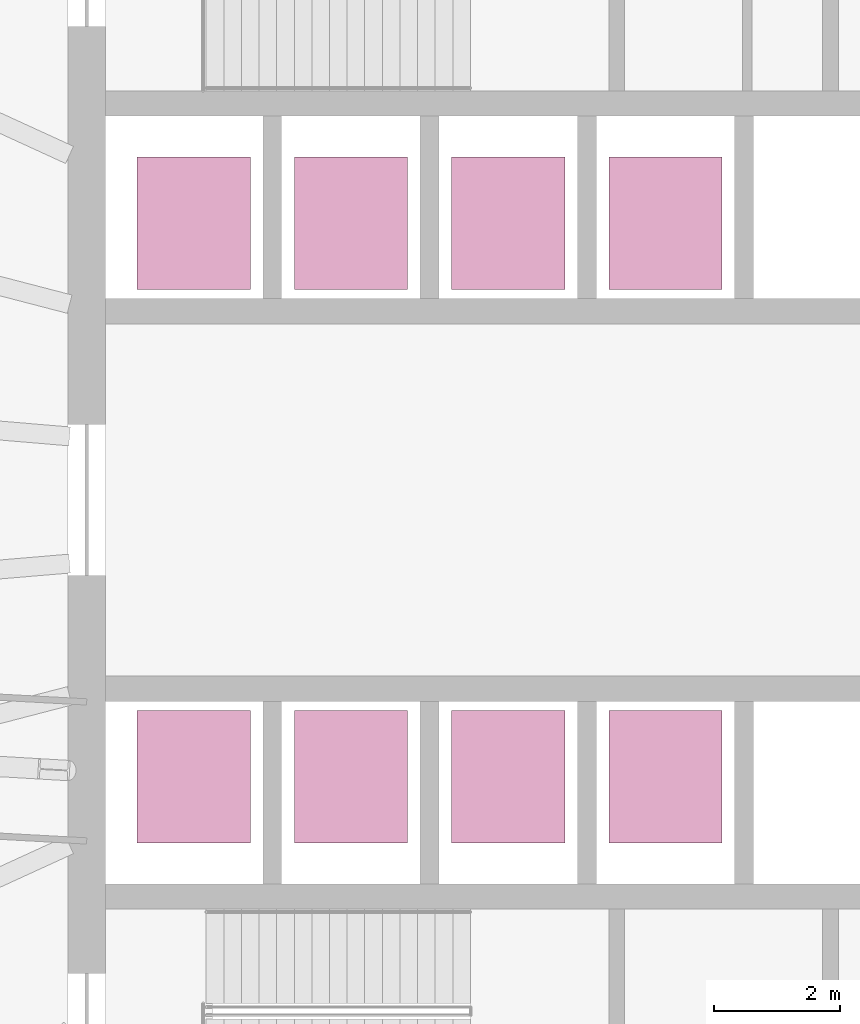
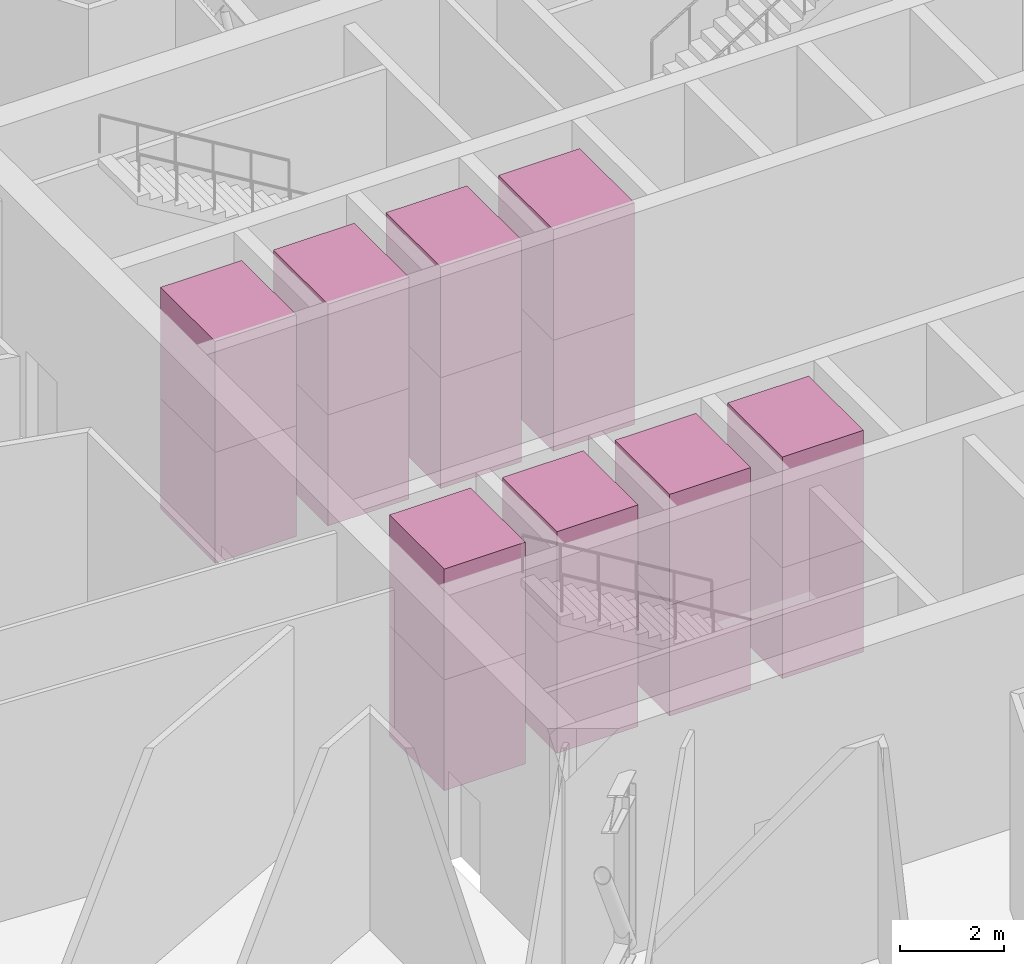
# One storey, part 22 of 22: 16 transport elements.
"""IFC4 building model written with IfcOpenShell, lengths in metres."""

from ifc_helpers import new_model, si_unit, direction, frame, origin, origin_2d, place, context, subcontext, project, spatial, rectangle, extrude, material, type_object, element, save


model = new_model("IFC4")

# Units and contexts
model_context = context("Model", 3, precision=1e-05, world=origin(), true_north=direction((0.0, 1.0)))
body_context = subcontext(model_context, "Body", "Model", "MODEL_VIEW")
ifc_project = project(units=[si_unit("LENGTHUNIT", "METRE"), si_unit("AREAUNIT", "SQUARE_METRE"), si_unit("VOLUMEUNIT", "CUBIC_METRE"), si_unit("PLANEANGLEUNIT", "RADIAN"), si_unit("MASSUNIT", "GRAM", prefix="KILO")], contexts=[model_context])

# Site, building, storey
site_placement = place(None, origin())
site = spatial("IfcSite", under=ifc_project, at=site_placement, CompositionType="ELEMENT")
building_placement = place(site_placement, origin())
building = spatial("IfcBuilding", under=site, at=building_placement, Name="Halqa Exchange Tower", CompositionType="ELEMENT")
storey_placement = place(building_placement, frame((0.0, 0.0, 99.10009765625)))
storey = spatial("IfcBuildingStorey", under=building, at=storey_placement, Name="L22", CompositionType="ELEMENT", Elevation=99.10009765625)

# Transport elements
ifc_material = material(Name="Stainless steel", Category="steel")
transport_element_type = type_object("IfcTransportElementType", Name="Low-rise passenger lift 1800 x 2100", PredefinedType="ELEVATOR", material=ifc_material)
for number, where, z_axis, x_axis, name in (
    (1, (-10.0, 4.39990234375, -0.000244140625), (0.0, 0.0, 1.0), (1.0, 0.0, 0.0), "Low-rise passenger lift LR1"),
    (2, (-10.0, 4.39990234375, 2.599853515625), (0.0, 0.0, 1.0), (1.0, 0.0, 0.0), "Low-rise passenger lift LR1"),
    (3, (-7.5, 4.39990234375, -0.000244140625), (0.0, 0.0, 1.0), (1.0, 0.0, 0.0), "Low-rise passenger lift LR2"),
    (4, (-7.5, 4.39990234375, 2.599853515625), (0.0, 0.0, 1.0), (1.0, 0.0, 0.0), "Low-rise passenger lift LR2"),
    (5, (-5.0, 4.39990234375, -0.000244140625), (0.0, 0.0, 1.0), (1.0, 0.0, 0.0), "Low-rise passenger lift LR3"),
    (6, (-5.0, 4.39990234375, 2.599853515625), (0.0, 0.0, 1.0), (1.0, 0.0, 0.0), "Low-rise passenger lift LR3"),
    (7, (-2.5, 4.39990234375, -0.000244140625), (0.0, 0.0, 1.0), (1.0, 0.0, 0.0), "Low-rise passenger lift LR4"),
    (8, (-2.5, 4.39990234375, 2.599853515625), (0.0, 0.0, 1.0), (1.0, 0.0, 0.0), "Low-rise passenger lift LR4"),
    (9, (-10.0, -4.39990234375, -0.000244140625), (0.0, 0.0, 1.0), (1.0, 0.0, 0.0), "Low-rise passenger lift LR5"),
    (10, (-10.0, -4.39990234375, 2.599853515625), (0.0, 0.0, 1.0), (1.0, 0.0, 0.0), "Low-rise passenger lift LR5"),
    (11, (-7.5, -4.39990234375, -0.000244140625), (0.0, 0.0, 1.0), (1.0, 0.0, 0.0), "Low-rise passenger lift LR6"),
    (12, (-7.5, -4.39990234375, 2.599853515625), (0.0, 0.0, 1.0), (1.0, 0.0, 0.0), "Low-rise passenger lift LR6"),
    (13, (-5.0, -4.39990234375, -0.000244140625), (0.0, 0.0, 1.0), (1.0, 0.0, 0.0), "Low-rise passenger lift LR7"),
    (14, (-5.0, -4.39990234375, 2.599853515625), (0.0, 0.0, 1.0), (1.0, 0.0, 0.0), "Low-rise passenger lift LR7"),
    (15, (-2.5, -4.39990234375, -0.000244140625), (0.0, 0.0, 1.0), (1.0, 0.0, 0.0), "Low-rise passenger lift LR8"),
    (16, (-2.5, -4.39990234375, 2.599853515625), (0.0, 0.0, 1.0), (1.0, 0.0, 0.0), "Low-rise passenger lift LR8"),
):
    element("IfcTransportElement", number, at=place(storey_placement, frame(where, z_axis=z_axis, x_axis=x_axis)), inside=storey, type_object=transport_element_type, Name=name, PredefinedType="ELEVATOR", context=body_context, shape_type="SweptSolid", body=[
        extrude(rectangle(XDim=1.800048828125, YDim=2.10009765625, at=origin_2d()), origin(), (0.0, 0.0, 1.0), 2.60009765625),
    ])

save(model, "model.ifc")
